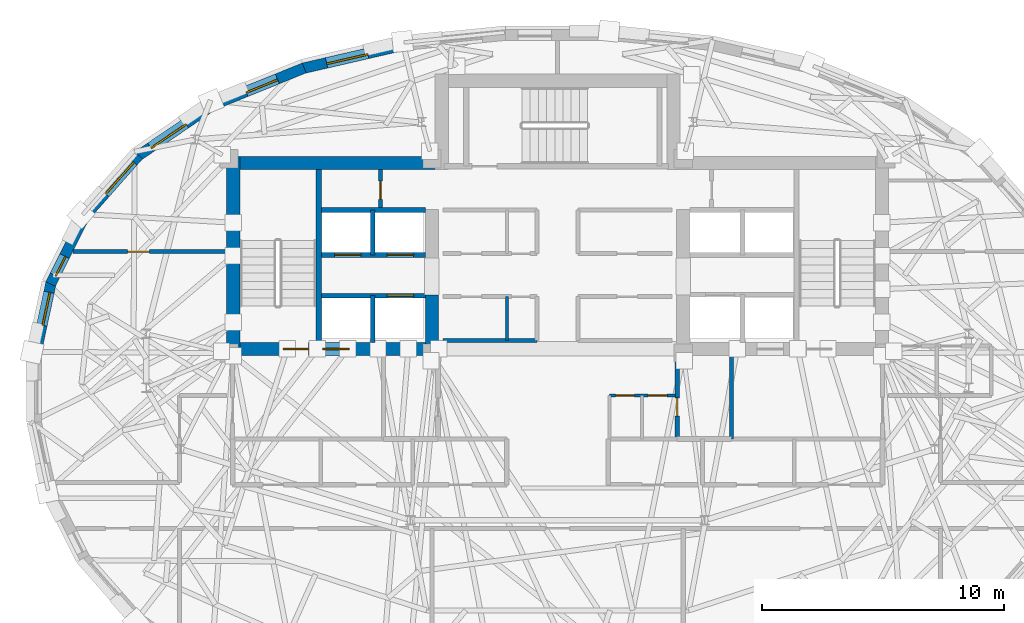
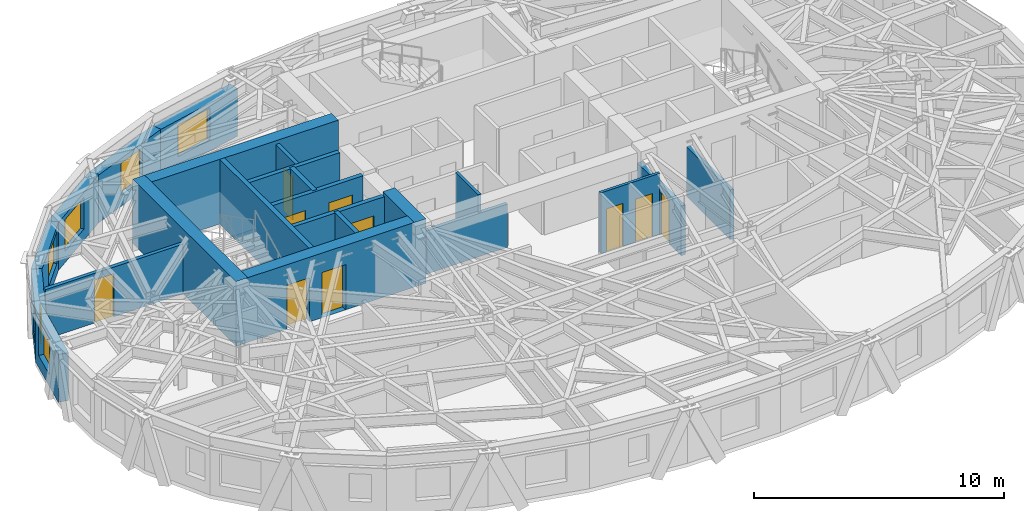
# One storey, part 7 of 13: 23 walls, 10 doors, 6 windows, 16 openings.
"""IFC4 building model written with IfcOpenShell, lengths in metres."""

from ifc_helpers import new_model, si_unit, direction, frame, frame_2d, origin, place, context, subcontext, project, spatial, rectangle, extrude, material, layer, layer_set, type_object, element, fill, save


model = new_model("IFC4")

# Units and contexts
model_context = context("Model", 3, precision=1e-05, world=origin(), true_north=direction((0.0, 1.0)))
body_context = subcontext(model_context, "Body", "Model", "MODEL_VIEW")
ifc_project = project(units=[si_unit("LENGTHUNIT", "METRE"), si_unit("AREAUNIT", "SQUARE_METRE"), si_unit("VOLUMEUNIT", "CUBIC_METRE"), si_unit("PLANEANGLEUNIT", "RADIAN"), si_unit("MASSUNIT", "GRAM", prefix="KILO")], contexts=[model_context])

# Site, building, storey
site_placement = place(None, origin())
site = spatial("IfcSite", under=ifc_project, at=site_placement, CompositionType="ELEMENT")
building_placement = place(site_placement, origin())
building = spatial("IfcBuilding", under=site, at=building_placement, Name="Keldmark Tower", CompositionType="ELEMENT")
storey_placement = place(building_placement, frame((0.0, 0.0, 241.5)))
storey = spatial("IfcBuildingStorey", under=building, at=storey_placement, Name="L68", CompositionType="ELEMENT", Elevation=241.5)

# Walls
ifc_material_1 = material(Name="Concrete C50/60", Category="concrete")
ifc_layer_1 = layer(ifc_material_1, 0.550048828125)
ifc_layer_set_1 = layer_set([ifc_layer_1], Name="Concrete C50/60")
wall_type_1 = type_object("IfcWallType", Name="High-Rise Core Shear Wall 550 mm", PredefinedType="SHEAR", material=ifc_layer_set_1)
wall_1_placement = place(storey_placement, frame((-13.425048828125, 1.300048828125, 0.0), z_axis=(0.0, 0.0, 1.0), x_axis=(0.0, 1.0, 0.0)))
element("IfcWall", 1, at=wall_1_placement, inside=storey, type_object=wall_type_1, Name="L68 West Core Outer Shear Wall", PredefinedType="SHEAR", context=body_context, shape_type="SweptSolid", body=[
    extrude(rectangle(XDim=8.25, YDim=0.550048828125, at=frame_2d((4.125, 0.0))), origin(), (0.0, 0.0, 1.0), 3.14990234375),
])
wall_2_placement = place(storey_placement, frame((-13.699951171875, 9.27490234375, 0.0), z_axis=(0.0, 0.0, 1.0), x_axis=(1.0, 0.0, 0.0)))
element("IfcWall", 2, at=wall_2_placement, inside=storey, type_object=wall_type_1, Name="L68 West Core North Shear Wall", PredefinedType="SHEAR", context=body_context, shape_type="SweptSolid", body=[
    extrude(rectangle(XDim=9.175048828125, YDim=0.550048828125, at=frame_2d((4.58740234375, 0.0))), origin(), (0.0, 0.0, 1.0), 3.14990234375),
])

# Wall, openings, doors
wall_3_placement = place(storey_placement, frame((-4.925048828125, 1.574951171875, 0.0), z_axis=(0.0, 0.0, 1.0), x_axis=(-1.0, 0.0, 0.0)))
wall_3 = element("IfcWall", 3, at=wall_3_placement, inside=storey, type_object=wall_type_1, Name="L68 West Core South Shear Wall", PredefinedType="SHEAR", context=body_context, shape_type="SweptSolid", body=[
    extrude(rectangle(XDim=8.77490234375, YDim=0.550048828125, at=frame_2d((4.387451171875, 0.0))), origin(), (0.0, 0.0, 1.0), 3.14990234375),
])
opening_1_placement = place(wall_3_placement, frame((5.375, 0.0, 0.0)))
opening_1 = element("IfcOpeningElement", 4, at=opening_1_placement, cuts=wall_3, Name="Opening D-ST105", PredefinedType="OPENING", context=body_context, shape_type="SweptSolid", body=[
    extrude(rectangle(XDim=1.050048828125, YDim=2.14990234375, at=frame_2d((0.52490234375, 1.074951171875))), frame((0.0, 0.284912109375, 0.0), z_axis=(0.0, -1.0, 0.0), x_axis=(1.0, 0.0, 0.0)), (0.0, 0.0, 1.0), 0.570068359375),
])
opening_2_placement = place(wall_3_placement, frame((3.705078125, 0.0, 0.0)))
opening_2 = element("IfcOpeningElement", 5, at=opening_2_placement, cuts=wall_3, Name="Opening LD-110", PredefinedType="OPENING", context=body_context, shape_type="SweptSolid", body=[
    extrude(rectangle(XDim=1.10009765625, YDim=2.199951171875, at=frame_2d((0.550048828125, 1.10009765625))), frame((0.0, 0.284912109375, 0.0), z_axis=(0.0, -1.0, 0.0), x_axis=(1.0, 0.0, 0.0)), (0.0, 0.0, 1.0), 0.570068359375),
])
ifc_material_2 = material(Name="Brushed Bronze Hoistway Sliding Leaf", Category="metal")
door_type_1 = type_object("IfcDoorType", Name="Lift Landing Sliding Door 1100x2200", OperationType="SLIDING_TO_LEFT", PredefinedType="DOOR", material=ifc_material_2)
door_1_placement = place(opening_2_placement, origin())
door_1 = element("IfcDoor", 6, at=door_1_placement, inside=storey, type_object=door_type_1, Name="L68 Lift Landing Sliding Door 1100x2200 LD-EL-FS1-L68", OperationType="SLIDING_TO_LEFT", OverallHeight=2.199951171875, OverallWidth=1.10009765625, PredefinedType="DOOR", context=body_context, shape_type="SweptSolid", body=[
    extrude(rectangle(XDim=1.10009765625, YDim=2.199951171875, at=frame_2d((0.550048828125, 1.10009765625))), frame((0.0, 0.02490234375, 0.0), z_axis=(0.0, -1.0, 0.0), x_axis=(1.0, 0.0, 0.0)), (0.0, 0.0, 1.0), 0.050048828125),
])
fill(opening_2, door_1)
ifc_material_3 = material(Name="Hollow Metal Fire-Rated Door Assembly", Category="metal")
door_type_2 = type_object("IfcDoorType", Name="Stair Fire Door 1050x2150", OperationType="NOTDEFINED", PredefinedType="DOOR", material=ifc_material_3)
door_2_placement = place(opening_1_placement, origin())
door_2 = element("IfcDoor", 7, at=door_2_placement, inside=storey, type_object=door_type_2, Name="L68 Stair Fire Door 1050x2150 D-ST1-L68", OperationType="SINGLE_SWING_RIGHT", OverallHeight=2.14990234375, OverallWidth=1.050048828125, PredefinedType="DOOR", context=body_context, shape_type="SweptSolid", body=[
    extrude(rectangle(XDim=1.050048828125, YDim=2.14990234375, at=frame_2d((0.52490234375, 1.074951171875))), frame((0.0, 0.02490234375, 0.0), z_axis=(0.0, -1.0, 0.0), x_axis=(1.0, 0.0, 0.0)), (0.0, 0.0, 1.0), 0.050048828125),
])
fill(opening_1, door_2)

# Wall
wall_4_placement = place(storey_placement, frame((-5.199951171875, 1.300048828125, 0.0), z_axis=(0.0, 0.0, 1.0), x_axis=(0.0, 1.0, 0.0)))
element("IfcWall", 8, at=wall_4_placement, inside=storey, type_object=wall_type_1, Name="L68 West Core Inner Shear Pier South", PredefinedType="SHEAR", context=body_context, shape_type="SweptSolid", body=[
    extrude(rectangle(XDim=2.5, YDim=0.550048828125, at=frame_2d((1.25, 0.0))), origin(), (0.0, 0.0, 1.0), 3.14990234375),
])

# Wall, openings, doors
ifc_material_4 = material(Name="Acoustic Gypsum Board Interior Partition", Category="gypsum")
ifc_layer_2 = layer(ifc_material_4, 0.1298828125)
ifc_layer_set_2 = layer_set([ifc_layer_2], Name="Acoustic Gypsum Board Interior Partition")
wall_type_2 = type_object("IfcWallType", Name="Interior Partition 130 mm", PredefinedType="PARTITIONING", material=ifc_layer_set_2)
wall_5_placement = place(storey_placement, frame((2.14990234375, -0.35009765625, 0.0), z_axis=(0.0, 0.0, 1.0), x_axis=(1.0, 0.0, 0.0)))
wall_5 = element("IfcWall", 9, at=wall_5_placement, inside=storey, type_object=wall_type_2, Name="L68 Interior Partition 130 mm CSC-E-N", PredefinedType="PARTITIONING", context=body_context, shape_type="SweptSolid", body=[
    extrude(rectangle(XDim=2.72998046875, YDim=0.1298828125, at=frame_2d((1.364990234375, 0.0))), origin(), (0.0, 0.0, 1.0), 2.969970703125),
])
opening_3_placement = place(wall_5_placement, frame((0.25, 0.0, 0.0)))
opening_3 = element("IfcOpeningElement", 10, at=opening_3_placement, cuts=wall_5, Name="Opening D-CL078", PredefinedType="OPENING", context=body_context, shape_type="SweptSolid", body=[
    extrude(rectangle(XDim=0.780029296875, YDim=2.10009765625, at=frame_2d((0.39013671875, 1.050048828125))), frame((0.0, 0.074951171875, 0.0), z_axis=(0.0, -1.0, 0.0), x_axis=(1.0, 0.0, 0.0)), (0.0, 0.0, 1.0), 0.14990234375),
])
opening_4_placement = place(wall_5_placement, frame((1.60009765625, 0.0, 0.0)))
opening_4 = element("IfcOpeningElement", 11, at=opening_4_placement, cuts=wall_5, Name="Opening D-CL078", PredefinedType="OPENING", context=body_context, shape_type="SweptSolid", body=[
    extrude(rectangle(XDim=0.780029296875, YDim=2.10009765625, at=frame_2d((0.39013671875, 1.050048828125))), frame((0.0, 0.074951171875, 0.0), z_axis=(0.0, -1.0, 0.0), x_axis=(1.0, 0.0, 0.0)), (0.0, 0.0, 1.0), 0.14990234375),
])
ifc_material_5 = material(Name="Flush Utility Closet Timber Door", Category="wood")
door_type_3 = type_object("IfcDoorType", Name="Closet Door 780x2100", OperationType="NOTDEFINED", PredefinedType="DOOR", material=ifc_material_5)
door_3_placement = place(opening_3_placement, origin())
door_3 = element("IfcDoor", 12, at=door_3_placement, inside=storey, type_object=door_type_3, Name="L68 Closet Door 780x2100 D-CSCE1-L68", OperationType="SINGLE_SWING_LEFT", OverallHeight=2.10009765625, OverallWidth=0.780029296875, PredefinedType="DOOR", context=body_context, shape_type="SweptSolid", body=[
    extrude(rectangle(XDim=0.780029296875, YDim=2.10009765625, at=frame_2d((0.39013671875, 1.050048828125))), frame((0.0, 0.02490234375, 0.0), z_axis=(0.0, -1.0, 0.0), x_axis=(1.0, 0.0, 0.0)), (0.0, 0.0, 1.0), 0.050048828125),
])
fill(opening_3, door_3)
door_4_placement = place(opening_4_placement, origin())
door_4 = element("IfcDoor", 13, at=door_4_placement, inside=storey, type_object=door_type_3, Name="L68 Closet Door 780x2100 D-CSCE2-L68", OperationType="SINGLE_SWING_RIGHT", OverallHeight=2.10009765625, OverallWidth=0.780029296875, PredefinedType="DOOR", context=body_context, shape_type="SweptSolid", body=[
    extrude(rectangle(XDim=0.780029296875, YDim=2.10009765625, at=frame_2d((0.39013671875, 1.050048828125))), frame((0.0, 0.02490234375, 0.0), z_axis=(0.0, -1.0, 0.0), x_axis=(1.0, 0.0, 0.0)), (0.0, 0.0, 1.0), 0.050048828125),
])
fill(opening_4, door_4)

# Walls
wall_6_placement = place(storey_placement, frame((-2.10009765625, 1.919921875, 0.0), z_axis=(0.0, 0.0, 1.0), x_axis=(0.0, 1.0, 0.0)))
element("IfcWall", 14, at=wall_6_placement, inside=storey, type_object=wall_type_2, Name="L68 Interior Partition 130 mm REC-LW-M", PredefinedType="PARTITIONING", context=body_context, shape_type="SweptSolid", body=[
    extrude(rectangle(XDim=1.820068359375, YDim=0.1298828125, at=frame_2d((0.91015625, 0.0))), origin(), (0.0, 0.0, 1.0), 2.969970703125),
])
ifc_material_6 = material(Name="Type X Fire-Rated Gypsum Partition Assembly", Category="gypsum")
ifc_layer_3 = layer(ifc_material_6, 0.1650390625)
ifc_layer_set_3 = layer_set([ifc_layer_3], Name="Type X Fire-Rated Gypsum Partition Assembly")
wall_type_3 = type_object("IfcWallType", Name="Rated Partition 165 mm", PredefinedType="PARTITIONING", material=ifc_layer_set_3)
wall_7_placement = place(storey_placement, frame((7.199951171875, -2.14990234375, 0.0), z_axis=(0.0, 0.0, 1.0), x_axis=(0.0, 1.0, 0.0)))
element("IfcWall", 15, at=wall_7_placement, inside=storey, type_object=wall_type_3, Name="L68 Rated Partition 165 mm FSAE-E-W", PredefinedType="PARTITIONING", context=body_context, shape_type="SweptSolid", body=[
    extrude(rectangle(XDim=3.5, YDim=0.1650390625, at=frame_2d((1.75, 0.0))), origin(), (0.0, 0.0, 1.0), 2.423095703125),
])
wall_8_placement = place(storey_placement, frame((-4.739990234375, 1.919921875, 0.0), z_axis=(0.0, 0.0, 1.0), x_axis=(1.0, 0.0, 0.0)))
element("IfcWall", 16, at=wall_8_placement, inside=storey, type_object=wall_type_3, Name="L68 Rated Partition 165 mm REC-LW-S", PredefinedType="PARTITIONING", context=body_context, shape_type="SweptSolid", body=[
    extrude(rectangle(XDim=3.889892578125, YDim=0.1650390625, at=frame_2d((1.94482421875, 0.0))), origin(), (0.0, 0.0, 1.0), 2.110107421875),
])

# Wall, opening, door
wall_9_placement = place(storey_placement, frame((-7.330078125, 7.419921875, 0.0), z_axis=(0.0, 0.0, 1.0), x_axis=(0.0, 1.0, 0.0)))
wall_9 = element("IfcWall", 17, at=wall_9_placement, inside=storey, type_object=wall_type_3, Name="L68 Rated Partition 165 mm CS-NW-E", PredefinedType="PARTITIONING", context=body_context, shape_type="SweptSolid", body=[
    extrude(rectangle(XDim=1.580078125, YDim=0.1650390625, at=frame_2d((0.7900390625, 0.0))), origin(), (0.0, 0.0, 1.0), 2.969970703125),
])
opening_5_placement = place(wall_9_placement, frame((0.35009765625, 0.0, 0.0)))
opening_5 = element("IfcOpeningElement", 18, at=opening_5_placement, cuts=wall_9, Name="Opening D-RS075", PredefinedType="OPENING", context=body_context, shape_type="SweptSolid", body=[
    extrude(rectangle(XDim=0.75, YDim=2.10009765625, at=frame_2d((0.375, 1.050048828125))), frame((0.0, 0.092529296875, 0.0), z_axis=(0.0, -1.0, 0.0), x_axis=(1.0, 0.0, 0.0)), (0.0, 0.0, 1.0), 0.18505859375),
])
ifc_material_7 = material(Name="Galvanized Fire-Rated Access Leaf", Category="metal")
door_type_4 = type_object("IfcDoorType", Name="Riser Access Door 750x2100", OperationType="NOTDEFINED", PredefinedType="DOOR", material=ifc_material_7)
door_5_placement = place(opening_5_placement, origin())
door_5 = element("IfcDoor", 19, at=door_5_placement, inside=storey, type_object=door_type_4, Name="L68 Riser Access Door 750x2100 D-CSNW1-L68", OperationType="SINGLE_SWING_RIGHT", OverallHeight=2.10009765625, OverallWidth=0.75, PredefinedType="DOOR", context=body_context, shape_type="SweptSolid", body=[
    extrude(rectangle(XDim=0.75, YDim=2.10009765625, at=frame_2d((0.375, 1.050048828125))), frame((0.0, 0.02490234375, 0.0), z_axis=(0.0, -1.0, 0.0), x_axis=(1.0, 0.0, 0.0)), (0.0, 0.0, 1.0), 0.050048828125),
])
fill(opening_5, door_5)

wall_10_placement = place(storey_placement, frame((-20.059814453125, 5.60009765625, 0.0), z_axis=(0.0, 0.0, 1.0), x_axis=(1.0, 0.0, 0.0)))
wall_10 = element("IfcWall", 20, at=wall_10_placement, inside=storey, type_object=wall_type_3, Name="L68 Rated Partition 165 mm RW-NDIV", PredefinedType="PARTITIONING", context=body_context, shape_type="SweptSolid", body=[
    extrude(rectangle(XDim=6.35986328125, YDim=0.1650390625, at=frame_2d((3.179931640625, 0.0))), origin(), (0.0, 0.0, 1.0), 2.423095703125),
])
opening_6_placement = place(wall_10_placement, frame((2.2587890625, 0.0, 0.0)))
opening_6 = element("IfcOpeningElement", 21, at=opening_6_placement, cuts=wall_10, Name="Opening D-IN090", PredefinedType="OPENING", context=body_context, shape_type="SweptSolid", body=[
    extrude(rectangle(XDim=0.89990234375, YDim=2.10009765625, at=frame_2d((0.449951171875, 1.050048828125))), frame((0.0, 0.092529296875, 0.0), z_axis=(0.0, -1.0, 0.0), x_axis=(1.0, 0.0, 0.0)), (0.0, 0.0, 1.0), 0.18505859375),
])
ifc_material_8 = material(Name="Stained American White Oak Veneer", Category="wood")
door_type_5 = type_object("IfcDoorType", Name="Interior Door 900x2100", OperationType="NOTDEFINED", PredefinedType="DOOR", material=ifc_material_8)
door_6_placement = place(opening_6_placement, origin())
door_6 = element("IfcDoor", 22, at=door_6_placement, inside=storey, type_object=door_type_5, Name="L68 Interior Door 900x2100 D-RWN1-L68", OperationType="SINGLE_SWING_LEFT", OverallHeight=2.10009765625, OverallWidth=0.89990234375, PredefinedType="DOOR", context=body_context, shape_type="SweptSolid", body=[
    extrude(rectangle(XDim=0.89990234375, YDim=2.10009765625, at=frame_2d((0.449951171875, 1.050048828125))), frame((0.0, 0.02490234375, 0.0), z_axis=(0.0, -1.0, 0.0), x_axis=(1.0, 0.0, 0.0)), (0.0, 0.0, 1.0), 0.050048828125),
])
fill(opening_6, door_6)

ifc_material_9 = material(Name="Fire-Resistant Type X Gypsum Shaftliner Coreboard", Category="gypsum")
ifc_layer_4 = layer(ifc_material_9, 0.199951171875)
ifc_layer_set_4 = layer_set([ifc_layer_4], Name="Fire-Resistant Type X Gypsum Shaftliner Coreboard")
wall_type_4 = type_object("IfcWallType", Name="Shaft Wall 200 mm", PredefinedType="SOLIDWALL", material=ifc_layer_set_4)
wall_11_placement = place(storey_placement, frame((4.949951171875, -2.14990234375, 0.0), z_axis=(0.0, 0.0, 1.0), x_axis=(0.0, 1.0, 0.0)))
wall_11 = element("IfcWall", 23, at=wall_11_placement, inside=storey, type_object=wall_type_4, Name="L68 Shaft Wall 200 mm RIS-SE-W", PredefinedType="SOLIDWALL", context=body_context, shape_type="SweptSolid", body=[
    extrude(rectangle(XDim=3.5, YDim=0.199951171875, at=frame_2d((1.75, 0.0))), origin(), (0.0, 0.0, 1.0), 2.423095703125),
])
opening_7_placement = place(wall_11_placement, frame((0.949951171875, 0.0, 0.0)))
opening_7 = element("IfcOpeningElement", 24, at=opening_7_placement, cuts=wall_11, Name="Opening D-RS075", PredefinedType="OPENING", context=body_context, shape_type="SweptSolid", body=[
    extrude(rectangle(XDim=0.75, YDim=2.10009765625, at=frame_2d((0.375, 1.050048828125))), frame((0.0, 0.10986328125, 0.0), z_axis=(0.0, -1.0, 0.0), x_axis=(1.0, 0.0, 0.0)), (0.0, 0.0, 1.0), 0.219970703125),
])
door_7_placement = place(opening_7_placement, origin())
door_7 = element("IfcDoor", 25, at=door_7_placement, inside=storey, type_object=door_type_4, Name="L68 Riser Access Door 750x2100 D-RISSE-L68", OperationType="SINGLE_SWING_LEFT", OverallHeight=2.10009765625, OverallWidth=0.75, PredefinedType="DOOR", context=body_context, shape_type="SweptSolid", body=[
    extrude(rectangle(XDim=0.75, YDim=2.10009765625, at=frame_2d((0.375, 1.050048828125))), frame((0.0, 0.02490234375, 0.0), z_axis=(0.0, -1.0, 0.0), x_axis=(1.0, 0.0, 0.0)), (0.0, 0.0, 1.0), 0.050048828125),
])
fill(opening_7, door_7)

wall_12_placement = place(storey_placement, frame((-9.780029296875, 3.780029296875, 0.0), z_axis=(0.0, 0.0, 1.0), x_axis=(1.0, 0.0, 0.0)))
wall_12 = element("IfcWall", 26, at=wall_12_placement, inside=storey, type_object=wall_type_4, Name="L68 Shaft Wall 200 mm HW-W-S", PredefinedType="SOLIDWALL", context=body_context, shape_type="SweptSolid", body=[
    extrude(rectangle(XDim=4.304931640625, YDim=0.199951171875, at=frame_2d((2.15234375, 0.0))), origin(), (0.0, 0.0, 1.0), 2.969970703125),
])
opening_8_placement = place(wall_12_placement, frame((2.719970703125, 0.0, 0.0)))
opening_8 = element("IfcOpeningElement", 27, at=opening_8_placement, cuts=wall_12, Name="Opening LD-110", PredefinedType="OPENING", context=body_context, shape_type="SweptSolid", body=[
    extrude(rectangle(XDim=1.10009765625, YDim=2.199951171875, at=frame_2d((0.550048828125, 1.10009765625))), frame((0.0, 0.10986328125, 0.0), z_axis=(0.0, -1.0, 0.0), x_axis=(1.0, 0.0, 0.0)), (0.0, 0.0, 1.0), 0.219970703125),
])
door_8_placement = place(opening_8_placement, origin())
door_8 = element("IfcDoor", 28, at=door_8_placement, inside=storey, type_object=door_type_1, Name="L68 Lift Landing Sliding Door 1100x2200 LD-EL-H3-L68", OperationType="SLIDING_TO_LEFT", OverallHeight=2.199951171875, OverallWidth=1.10009765625, PredefinedType="DOOR", context=body_context, shape_type="SweptSolid", body=[
    extrude(rectangle(XDim=1.10009765625, YDim=2.199951171875, at=frame_2d((0.550048828125, 1.10009765625))), frame((0.0, 0.02490234375, 0.0), z_axis=(0.0, -1.0, 0.0), x_axis=(1.0, 0.0, 0.0)), (0.0, 0.0, 1.0), 0.050048828125),
])
fill(opening_8, door_8)

# Wall
wall_13_placement = place(storey_placement, frame((-7.64990234375, 1.85009765625, 0.0), z_axis=(0.0, 0.0, 1.0), x_axis=(0.0, 1.0, 0.0)))
element("IfcWall", 29, at=wall_13_placement, inside=storey, type_object=wall_type_4, Name="L68 Shaft Wall 200 mm HW-W-M", PredefinedType="SOLIDWALL", context=body_context, shape_type="SweptSolid", body=[
    extrude(rectangle(XDim=1.929931640625, YDim=0.199951171875, at=frame_2d((0.96484375, 0.0))), origin(), (0.0, 0.0, 1.0), 2.969970703125),
])

# Wall, openings, doors
wall_14_placement = place(storey_placement, frame((-9.780029296875, 5.469970703125, 0.0), z_axis=(0.0, 0.0, 1.0), x_axis=(1.0, 0.0, 0.0)))
wall_14 = element("IfcWall", 30, at=wall_14_placement, inside=storey, type_object=wall_type_4, Name="L68 Shaft Wall 200 mm HW-W-N", PredefinedType="SOLIDWALL", context=body_context, shape_type="SweptSolid", body=[
    extrude(rectangle(XDim=4.304931640625, YDim=0.199951171875, at=frame_2d((2.15234375, 0.0))), origin(), (0.0, 0.0, 1.0), 2.969970703125),
])
opening_9_placement = place(wall_14_placement, frame((0.550048828125, 0.0, 0.0)))
opening_9 = element("IfcOpeningElement", 31, at=opening_9_placement, cuts=wall_14, Name="Opening LD-110", PredefinedType="OPENING", context=body_context, shape_type="SweptSolid", body=[
    extrude(rectangle(XDim=1.10009765625, YDim=2.199951171875, at=frame_2d((0.550048828125, 1.10009765625))), frame((0.0, 0.10986328125, 0.0), z_axis=(0.0, -1.0, 0.0), x_axis=(1.0, 0.0, 0.0)), (0.0, 0.0, 1.0), 0.219970703125),
])
opening_10_placement = place(wall_14_placement, frame((2.719970703125, 0.0, 0.0)))
opening_10 = element("IfcOpeningElement", 32, at=opening_10_placement, cuts=wall_14, Name="Opening LD-110", PredefinedType="OPENING", context=body_context, shape_type="SweptSolid", body=[
    extrude(rectangle(XDim=1.10009765625, YDim=2.199951171875, at=frame_2d((0.550048828125, 1.10009765625))), frame((0.0, 0.10986328125, 0.0), z_axis=(0.0, -1.0, 0.0), x_axis=(1.0, 0.0, 0.0)), (0.0, 0.0, 1.0), 0.219970703125),
])
door_9_placement = place(opening_9_placement, origin())
door_9 = element("IfcDoor", 33, at=door_9_placement, inside=storey, type_object=door_type_1, Name="L68 Lift Landing Sliding Door 1100x2200 LD-EL-H1-L68", OperationType="SLIDING_TO_LEFT", OverallHeight=2.199951171875, OverallWidth=1.10009765625, PredefinedType="DOOR", context=body_context, shape_type="SweptSolid", body=[
    extrude(rectangle(XDim=1.10009765625, YDim=2.199951171875, at=frame_2d((0.550048828125, 1.10009765625))), frame((0.0, 0.02490234375, 0.0), z_axis=(0.0, -1.0, 0.0), x_axis=(1.0, 0.0, 0.0)), (0.0, 0.0, 1.0), 0.050048828125),
])
fill(opening_9, door_9)
door_10_placement = place(opening_10_placement, origin())
door_10 = element("IfcDoor", 34, at=door_10_placement, inside=storey, type_object=door_type_1, Name="L68 Lift Landing Sliding Door 1100x2200 LD-EL-H2-L68", OperationType="SLIDING_TO_LEFT", OverallHeight=2.199951171875, OverallWidth=1.10009765625, PredefinedType="DOOR", context=body_context, shape_type="SweptSolid", body=[
    extrude(rectangle(XDim=1.10009765625, YDim=2.199951171875, at=frame_2d((0.550048828125, 1.10009765625))), frame((0.0, 0.02490234375, 0.0), z_axis=(0.0, -1.0, 0.0), x_axis=(1.0, 0.0, 0.0)), (0.0, 0.0, 1.0), 0.050048828125),
])
fill(opening_10, door_10)

# Walls
wall_15_placement = place(storey_placement, frame((-9.780029296875, 7.330078125, 0.0), z_axis=(0.0, 0.0, 1.0), x_axis=(1.0, 0.0, 0.0)))
element("IfcWall", 35, at=wall_15_placement, inside=storey, type_object=wall_type_4, Name="L68 Shaft Wall 200 mm HW-W-TOP", PredefinedType="SOLIDWALL", context=body_context, shape_type="SweptSolid", body=[
    extrude(rectangle(XDim=4.304931640625, YDim=0.199951171875, at=frame_2d((2.15234375, 0.0))), origin(), (0.0, 0.0, 1.0), 2.969970703125),
])
wall_16_placement = place(storey_placement, frame((-7.64990234375, 5.469970703125, 0.0), z_axis=(0.0, 0.0, 1.0), x_axis=(0.0, 1.0, 0.0)))
element("IfcWall", 36, at=wall_16_placement, inside=storey, type_object=wall_type_4, Name="L68 Shaft Wall 200 mm HW-W-NM", PredefinedType="SOLIDWALL", context=body_context, shape_type="SweptSolid", body=[
    extrude(rectangle(XDim=1.860107421875, YDim=0.199951171875, at=frame_2d((0.93017578125, 0.0))), origin(), (0.0, 0.0, 1.0), 2.969970703125),
])
ifc_material_10 = material(Name="Concrete C50/60", Category="concrete")
ifc_layer_5 = layer(ifc_material_10, 0.219970703125)
ifc_layer_set_5 = layer_set([ifc_layer_5], Name="Concrete C50/60")
wall_type_5 = type_object("IfcWallType", Name="Stair Core Shear Wall 220 mm", PredefinedType="SHEAR", material=ifc_layer_set_5)
wall_17_placement = place(storey_placement, frame((-9.889892578125, 1.85009765625, 0.0), z_axis=(0.0, 0.0, 1.0), x_axis=(0.0, 1.0, 0.0)))
element("IfcWall", 37, at=wall_17_placement, inside=storey, type_object=wall_type_5, Name="L68 West Stair Core Shear Wall", PredefinedType="SHEAR", context=body_context, shape_type="SweptSolid", body=[
    extrude(rectangle(XDim=7.14990234375, YDim=0.219970703125, at=frame_2d((3.574951171875, 0.0))), origin(), (0.0, 0.0, 1.0), 3.14990234375),
])

# Wall, opening, window
ifc_material_11 = material(Name="Ironspot Manganese Brick and Kasota Buff Limestone Spandrel Assembly", Category="masonry")
ifc_layer_6 = layer(ifc_material_11, 0.43994140625)
ifc_layer_set_6 = layer_set([ifc_layer_6], Name="Ironspot Manganese Brick and Kasota Buff Limestone Spandrel Assembly")
wall_type_6 = type_object("IfcWallType", Name="Tower Brick Pier and Spandrel Wall 440 mm", PredefinedType="STANDARD", material=ifc_layer_set_6)
wall_18_placement = place(storey_placement, frame((-10.520263671875, 13.194580078125, 0.0), z_axis=(0.0, 0.0, 1.0), x_axis=(0.974398936081, 0.224825962391, 0.0)))
wall_18 = element("IfcWall", 38, at=wall_18_placement, inside=storey, type_object=wall_type_6, Name="L68 Exterior Brick and Spandrel Wall 10", PredefinedType="STANDARD", context=body_context, shape_type="SweptSolid", body=[
    extrude(rectangle(XDim=4.25244140625, YDim=0.43994140625, at=frame_2d((2.126220703125, 0.0))), origin(), (0.0, 0.0, 1.0), 2.3359375),
])
opening_11_placement = place(wall_18_placement, frame((0.982421875, 0.0, 0.550048828125)))
opening_11 = element("IfcOpeningElement", 39, at=opening_11_placement, cuts=wall_18, Name="Opening W-05", PredefinedType="OPENING", context=body_context, shape_type="SweptSolid", body=[
    extrude(rectangle(XDim=1.75, YDim=1.550048828125, at=frame_2d((0.875, 0.77490234375))), frame((0.0, 0.22998046875, 0.0), z_axis=(0.0, -1.0, 0.0), x_axis=(1.0, 0.0, 0.0)), (0.0, 0.0, 1.0), 0.4599609375),
])
ifc_material_12 = material(Name="Thermally Broken Anodized Aluminum and Triple Low-E Argon Glazing", Category="aluminium")
window_type_1 = type_object("IfcWindowType", Name="Residential Deep-Set Window 1750x1550", PartitioningType="DOUBLE_PANEL_VERTICAL", PredefinedType="WINDOW", material=ifc_material_12)
window_1_placement = place(opening_11_placement, origin())
window_1 = element("IfcWindow", 40, at=window_1_placement, inside=storey, type_object=window_type_1, Name="L68 Deep-Set Window 10", OverallHeight=1.550048828125, OverallWidth=1.75, PartitioningType="SINGLE_PANEL", PredefinedType="WINDOW", context=body_context, shape_type="SweptSolid", body=[
    extrude(rectangle(XDim=1.75, YDim=1.550048828125, at=frame_2d((0.875, 0.77490234375))), frame((0.0, -0.010009765625, 0.0), z_axis=(0.0, -1.0, 0.0), x_axis=(1.0, 0.0, 0.0)), (0.0, 0.0, 1.0), 0.06005859375),
])
fill(opening_11, window_1)

wall_19_placement = place(storey_placement, frame((-14.283203125, 11.666015625, 0.0), z_axis=(0.0, 0.0, 1.0), x_axis=(0.926731976866, 0.375723093586, 0.0)))
wall_19 = element("IfcWall", 41, at=wall_19_placement, inside=storey, type_object=wall_type_6, Name="L68 Exterior Brick and Spandrel Wall 11", PredefinedType="STANDARD", context=body_context, shape_type="SweptSolid", body=[
    extrude(rectangle(XDim=4.09619140625, YDim=0.43994140625, at=frame_2d((2.048095703125, 0.0))), origin(), (0.0, 0.0, 1.0), 2.3359375),
])
opening_12_placement = place(wall_19_placement, frame((1.497802734375, 0.0, 0.550048828125)))
opening_12 = element("IfcOpeningElement", 42, at=opening_12_placement, cuts=wall_19, Name="Opening W-08", PredefinedType="OPENING", context=body_context, shape_type="SweptSolid", body=[
    extrude(rectangle(XDim=1.39990234375, YDim=1.550048828125, at=frame_2d((0.699951171875, 0.77490234375))), frame((0.0, 0.22998046875, 0.0), z_axis=(0.0, -1.0, 0.0), x_axis=(1.0, 0.0, 0.0)), (0.0, 0.0, 1.0), 0.4599609375),
])
ifc_material_13 = material(Name="Thermally Broken Anodized Aluminum and Triple Low-E Argon Glazing", Category="aluminium")
window_type_2 = type_object("IfcWindowType", Name="Residential Corner Punched Window 1400x1550", PartitioningType="SINGLE_PANEL", PredefinedType="WINDOW", material=ifc_material_13)
window_2_placement = place(opening_12_placement, origin())
window_2 = element("IfcWindow", 43, at=window_2_placement, inside=storey, type_object=window_type_2, Name="L68 Deep-Set Window 11", OverallHeight=1.550048828125, OverallWidth=1.39990234375, PartitioningType="SINGLE_PANEL", PredefinedType="WINDOW", context=body_context, shape_type="SweptSolid", body=[
    extrude(rectangle(XDim=1.39990234375, YDim=1.550048828125, at=frame_2d((0.699951171875, 0.77490234375))), frame((0.0, -0.010009765625, 0.0), z_axis=(0.0, -1.0, 0.0), x_axis=(1.0, 0.0, 0.0)), (0.0, 0.0, 1.0), 0.06005859375),
])
fill(opening_12, window_2)

wall_20_placement = place(storey_placement, frame((-17.38134765625, 9.559326171875, 0.0), z_axis=(0.0, 0.0, 1.0), x_axis=(0.827637036896, 0.561263694851, 0.0)))
wall_20 = element("IfcWall", 44, at=wall_20_placement, inside=storey, type_object=wall_type_6, Name="L68 Exterior Brick and Spandrel Wall 12", PredefinedType="STANDARD", context=body_context, shape_type="SweptSolid", body=[
    extrude(rectangle(XDim=3.792724609375, YDim=0.43994140625, at=frame_2d((1.896484375, 0.0))), origin(), (0.0, 0.0, 1.0), 2.3359375),
])
opening_13_placement = place(wall_20_placement, frame((0.64794921875, 0.0, 0.550048828125)))
opening_13 = element("IfcOpeningElement", 45, at=opening_13_placement, cuts=wall_20, Name="Opening W-05", PredefinedType="OPENING", context=body_context, shape_type="SweptSolid", body=[
    extrude(rectangle(XDim=1.75, YDim=1.550048828125, at=frame_2d((0.875, 0.77490234375))), frame((0.0, 0.22998046875, 0.0), z_axis=(0.0, -1.0, 0.0), x_axis=(1.0, 0.0, 0.0)), (0.0, 0.0, 1.0), 0.4599609375),
])
window_3_placement = place(opening_13_placement, origin())
window_3 = element("IfcWindow", 46, at=window_3_placement, inside=storey, type_object=window_type_1, Name="L68 Deep-Set Window 12", OverallHeight=1.550048828125, OverallWidth=1.75, PartitioningType="SINGLE_PANEL", PredefinedType="WINDOW", context=body_context, shape_type="SweptSolid", body=[
    extrude(rectangle(XDim=1.75, YDim=1.550048828125, at=frame_2d((0.875, 0.77490234375))), frame((0.0, -0.010009765625, 0.0), z_axis=(0.0, -1.0, 0.0), x_axis=(1.0, 0.0, 0.0)), (0.0, 0.0, 1.0), 0.06005859375),
])
fill(opening_13, window_3)

wall_21_placement = place(storey_placement, frame((-19.609619140625, 7.021728515625, 0.0), z_axis=(0.0, 0.0, 1.0), x_axis=(0.66136043846, 0.750068243855, 0.0)))
wall_21 = element("IfcWall", 47, at=wall_21_placement, inside=storey, type_object=wall_type_6, Name="L68 Exterior Brick and Spandrel Wall 13", PredefinedType="STANDARD", context=body_context, shape_type="SweptSolid", body=[
    extrude(rectangle(XDim=3.431884765625, YDim=0.43994140625, at=frame_2d((1.7158203125, 0.0))), origin(), (0.0, 0.0, 1.0), 2.3359375),
])
opening_14_placement = place(wall_21_placement, frame((1.333984375, 0.0, 0.550048828125)))
opening_14 = element("IfcOpeningElement", 48, at=opening_14_placement, cuts=wall_21, Name="Opening W-05", PredefinedType="OPENING", context=body_context, shape_type="SweptSolid", body=[
    extrude(rectangle(XDim=1.75, YDim=1.550048828125, at=frame_2d((0.875, 0.77490234375))), frame((0.0, 0.22998046875, 0.0), z_axis=(0.0, -1.0, 0.0), x_axis=(1.0, 0.0, 0.0)), (0.0, 0.0, 1.0), 0.4599609375),
])
window_4_placement = place(opening_14_placement, origin())
window_4 = element("IfcWindow", 49, at=window_4_placement, inside=storey, type_object=window_type_1, Name="L68 Deep-Set Window 13", OverallHeight=1.550048828125, OverallWidth=1.75, PartitioningType="SINGLE_PANEL", PredefinedType="WINDOW", context=body_context, shape_type="SweptSolid", body=[
    extrude(rectangle(XDim=1.75, YDim=1.550048828125, at=frame_2d((0.875, 0.77490234375))), frame((0.0, -0.010009765625, 0.0), z_axis=(0.0, -1.0, 0.0), x_axis=(1.0, 0.0, 0.0)), (0.0, 0.0, 1.0), 0.06005859375),
])
fill(opening_14, window_4)

wall_22_placement = place(storey_placement, frame((-20.98779296875, 4.2587890625, 0.0), z_axis=(0.0, 0.0, 1.0), x_axis=(0.448424724145, 0.893820601002, 0.0)))
wall_22 = element("IfcWall", 50, at=wall_22_placement, inside=storey, type_object=wall_type_6, Name="L68 Exterior Brick and Spandrel Wall 14", PredefinedType="STANDARD", context=body_context, shape_type="SweptSolid", body=[
    extrude(rectangle(XDim=3.1435546875, YDim=0.43994140625, at=frame_2d((1.57177734375, 0.0))), origin(), (0.0, 0.0, 1.0), 2.3359375),
])
opening_15_placement = place(wall_22_placement, frame((0.3994140625, 0.0, 0.580078125)))
opening_15 = element("IfcOpeningElement", 51, at=opening_15_placement, cuts=wall_22, Name="Opening W-09", PredefinedType="OPENING", context=body_context, shape_type="SweptSolid", body=[
    extrude(rectangle(XDim=0.89990234375, YDim=1.35009765625, at=frame_2d((0.449951171875, 0.675048828125))), frame((0.0, 0.22998046875, 0.0), z_axis=(0.0, -1.0, 0.0), x_axis=(1.0, 0.0, 0.0)), (0.0, 0.0, 1.0), 0.4599609375),
])
ifc_material_14 = material(Name="Thermally Broken Anodized Aluminum and Triple Low-E Argon Glazing", Category="aluminium")
window_type_3 = type_object("IfcWindowType", Name="Corner Pier Deep-Set Window 900x1350", PartitioningType="SINGLE_PANEL", PredefinedType="WINDOW", material=ifc_material_14)
window_5_placement = place(opening_15_placement, origin())
window_5 = element("IfcWindow", 52, at=window_5_placement, inside=storey, type_object=window_type_3, Name="L68 Deep-Set Window 14", OverallHeight=1.35009765625, OverallWidth=0.89990234375, PartitioningType="SINGLE_PANEL", PredefinedType="WINDOW", context=body_context, shape_type="SweptSolid", body=[
    extrude(rectangle(XDim=0.89990234375, YDim=1.35009765625, at=frame_2d((0.449951171875, 0.675048828125))), frame((0.0, -0.010009765625, 0.0), z_axis=(0.0, -1.0, 0.0), x_axis=(1.0, 0.0, 0.0)), (0.0, 0.0, 1.0), 0.06005859375),
])
fill(opening_15, window_5)

wall_23_placement = place(storey_placement, frame((-21.59423828125, 1.410400390625, 0.0), z_axis=(0.0, 0.0, 1.0), x_axis=(0.210540350534, 0.977585168053, 0.0)))
wall_23 = element("IfcWall", 53, at=wall_23_placement, inside=storey, type_object=wall_type_6, Name="L68 Exterior Brick and Spandrel Wall 15", PredefinedType="STANDARD", context=body_context, shape_type="SweptSolid", body=[
    extrude(rectangle(XDim=2.96728515625, YDim=0.43994140625, at=frame_2d((1.483642578125, 0.0))), origin(), (0.0, 0.0, 1.0), 2.3359375),
])
opening_16_placement = place(wall_23_placement, frame((1.1728515625, 0.0, 0.580078125)))
opening_16 = element("IfcOpeningElement", 54, at=opening_16_placement, cuts=wall_23, Name="Opening W-08", PredefinedType="OPENING", context=body_context, shape_type="SweptSolid", body=[
    extrude(rectangle(XDim=1.39990234375, YDim=1.550048828125, at=frame_2d((0.699951171875, 0.77490234375))), frame((0.0, 0.22998046875, 0.0), z_axis=(0.0, -1.0, 0.0), x_axis=(1.0, 0.0, 0.0)), (0.0, 0.0, 1.0), 0.4599609375),
])
window_6_placement = place(opening_16_placement, origin())
window_6 = element("IfcWindow", 55, at=window_6_placement, inside=storey, type_object=window_type_2, Name="L68 Deep-Set Window 15", OverallHeight=1.550048828125, OverallWidth=1.39990234375, PartitioningType="SINGLE_PANEL", PredefinedType="WINDOW", context=body_context, shape_type="SweptSolid", body=[
    extrude(rectangle(XDim=1.39990234375, YDim=1.550048828125, at=frame_2d((0.699951171875, 0.77490234375))), frame((0.0, -0.010009765625, 0.0), z_axis=(0.0, -1.0, 0.0), x_axis=(1.0, 0.0, 0.0)), (0.0, 0.0, 1.0), 0.06005859375),
])
fill(opening_16, window_6)

save(model, "model.ifc")
